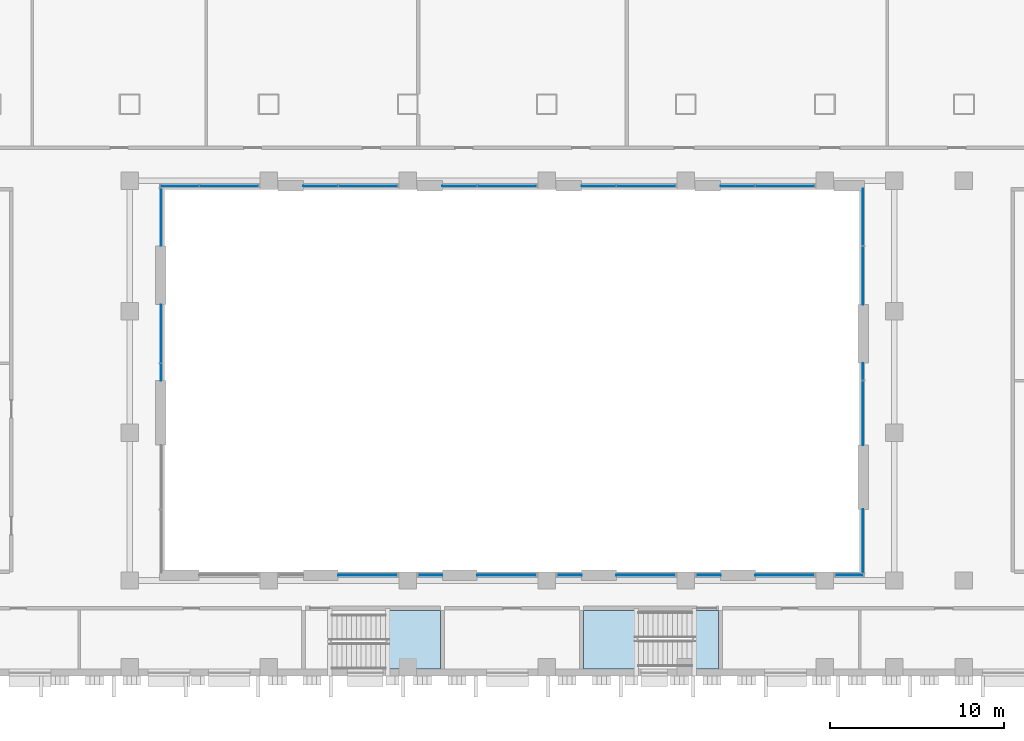
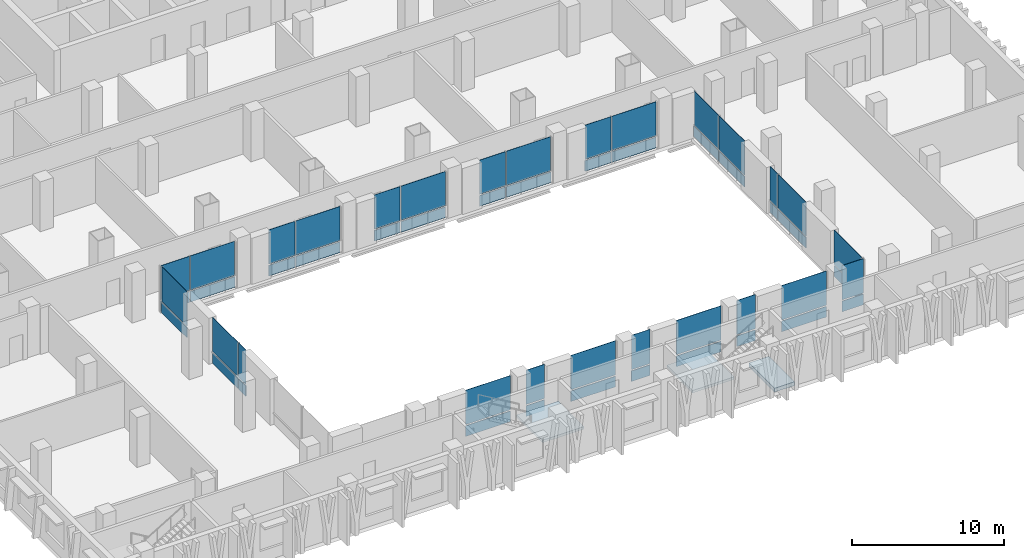
# One storey, part 6 of 26: 52 plates, 3 slabs, 20 elements without a shape of their own.
"""IFC4 building model written with IfcOpenShell, lengths in metres."""

from ifc_helpers import new_model, si_unit, direction, frame, origin, origin_2d, place, context, subcontext, project, spatial, polyline, rectangle, outline, extrude, material, layer, layer_set, type_object, element, aggregate, save


model = new_model("IFC4")

# Units and contexts
model_context = context("Model", 3, precision=1e-05, world=origin(), true_north=direction((0.0, 1.0)))
body_context = subcontext(model_context, "Body", "Model", "MODEL_VIEW")
ifc_project = project(units=[si_unit("LENGTHUNIT", "METRE"), si_unit("AREAUNIT", "SQUARE_METRE"), si_unit("VOLUMEUNIT", "CUBIC_METRE"), si_unit("PLANEANGLEUNIT", "RADIAN"), si_unit("MASSUNIT", "GRAM", prefix="KILO")], contexts=[model_context])

# Site, building, storey
site_placement = place(None, origin())
site = spatial("IfcSite", under=ifc_project, at=site_placement, CompositionType="ELEMENT")
building_placement = place(site_placement, origin())
building = spatial("IfcBuilding", under=site, at=building_placement, Name="Vidyagriha Tower", CompositionType="ELEMENT")
storey_placement = place(building_placement, frame((0.0, 0.0, 6.0)))
storey = spatial("IfcBuildingStorey", under=building, at=storey_placement, Name="L01", CompositionType="ELEMENT", Elevation=6.0)

# Curtain wall, plate
ifc_material_1 = material(Name="Aluminium and glass curtain wall", Category="aluminium")
curtain_wall_type = type_object("IfcCurtainWallType", Name="Atrium screen curtain wall", PredefinedType="USERDEFINED", material=ifc_material_1)
curtain_wall_1_placement = place(storey_placement, origin())
curtain_wall_1 = element("IfcCurtainWall", 1, at=curtain_wall_1_placement, inside=storey, type_object=curtain_wall_type, Name="CW6 atrium screen", ObjectType="UNITISED", PredefinedType="USERDEFINED")
ifc_material_2 = material(Name="Glass dark ceramic-fritted spandrel", Category="glass")
ifc_layer_1 = layer(ifc_material_2, 0.0400390625)
ifc_layer_set_1 = layer_set([ifc_layer_1], Name="Glass dark ceramic-fritted spandrel")
plate_type_1 = type_object("IfcPlateType", Name="Ceramic-fritted spandrel panel", PredefinedType="CURTAIN_PANEL", material=ifc_layer_set_1)
plate_1_placement = place(storey_placement, frame((19.405029296875, -44.199951171875, 0.0), z_axis=(0.0, 0.0, 1.0), x_axis=(-1.0, 0.0, 0.0)))
plate_1 = element("IfcPlate", 2, at=plate_1_placement, type_object=plate_type_1, Name="CW6 panel 1.1", PredefinedType="CURTAIN_PANEL", context=body_context, shape_type="SweptSolid", body=[
    extrude(rectangle(XDim=1.610107421875, YDim=0.0400390625, at=origin_2d()), origin(), (0.0, 0.0, 1.0), 0.85009765625),
])

curtain_wall_2_placement = place(storey_placement, origin())
curtain_wall_2 = element("IfcCurtainWall", 3, at=curtain_wall_2_placement, inside=storey, type_object=curtain_wall_type, Name="CW6 atrium screen", ObjectType="UNITISED", PredefinedType="USERDEFINED")
plate_2_placement = place(storey_placement, frame((15.699951171875, -44.199951171875, 0.0), z_axis=(0.0, 0.0, 1.0), x_axis=(-1.0, 0.0, 0.0)))
plate_2 = element("IfcPlate", 4, at=plate_2_placement, type_object=plate_type_1, Name="CW6 panel 1.1", PredefinedType="CURTAIN_PANEL", context=body_context, shape_type="SweptSolid", body=[
    extrude(rectangle(XDim=3.39990234375, YDim=0.0400390625, at=origin_2d()), origin(), (0.0, 0.0, 1.0), 0.85009765625),
])

curtain_wall_3_placement = place(storey_placement, origin())
curtain_wall_3 = element("IfcCurtainWall", 5, at=curtain_wall_3_placement, inside=storey, type_object=curtain_wall_type, Name="CW6 atrium screen", ObjectType="UNITISED", PredefinedType="USERDEFINED")
plate_3_placement = place(storey_placement, frame((11.300048828125, -44.199951171875, 0.0), z_axis=(0.0, 0.0, 1.0), x_axis=(-1.0, 0.0, 0.0)))
plate_3 = element("IfcPlate", 6, at=plate_3_placement, type_object=plate_type_1, Name="CW6 panel 1.1", PredefinedType="CURTAIN_PANEL", context=body_context, shape_type="SweptSolid", body=[
    extrude(rectangle(XDim=1.39990234375, YDim=0.0400390625, at=origin_2d()), origin(), (0.0, 0.0, 1.0), 0.85009765625),
])

curtain_wall_4_placement = place(storey_placement, origin())
curtain_wall_4 = element("IfcCurtainWall", 7, at=curtain_wall_4_placement, inside=storey, type_object=curtain_wall_type, Name="CW6 atrium screen", ObjectType="UNITISED", PredefinedType="USERDEFINED")
plate_4_placement = place(storey_placement, frame((7.699951171875, -44.199951171875, 0.0), z_axis=(0.0, 0.0, 1.0), x_axis=(-1.0, 0.0, 0.0)))
plate_4 = element("IfcPlate", 8, at=plate_4_placement, type_object=plate_type_1, Name="CW6 panel 1.1", PredefinedType="CURTAIN_PANEL", context=body_context, shape_type="SweptSolid", body=[
    extrude(rectangle(XDim=3.39990234375, YDim=0.0400390625, at=origin_2d()), origin(), (0.0, 0.0, 1.0), 0.85009765625),
])

curtain_wall_5_placement = place(storey_placement, origin())
curtain_wall_5 = element("IfcCurtainWall", 9, at=curtain_wall_5_placement, inside=storey, type_object=curtain_wall_type, Name="CW6 atrium screen", ObjectType="UNITISED", PredefinedType="USERDEFINED")
plate_5_placement = place(storey_placement, frame((3.300048828125, -44.199951171875, 0.0), z_axis=(0.0, 0.0, 1.0), x_axis=(-1.0, 0.0, 0.0)))
plate_5 = element("IfcPlate", 10, at=plate_5_placement, type_object=plate_type_1, Name="CW6 panel 1.1", PredefinedType="CURTAIN_PANEL", context=body_context, shape_type="SweptSolid", body=[
    extrude(rectangle(XDim=1.39990234375, YDim=0.0400390625, at=origin_2d()), origin(), (0.0, 0.0, 1.0), 0.85009765625),
])

curtain_wall_6_placement = place(storey_placement, origin())
curtain_wall_6 = element("IfcCurtainWall", 11, at=curtain_wall_6_placement, inside=storey, type_object=curtain_wall_type, Name="CW6 atrium screen", ObjectType="UNITISED", PredefinedType="USERDEFINED")
plate_6_placement = place(storey_placement, frame((-0.300048828125, -44.199951171875, 0.0), z_axis=(0.0, 0.0, 1.0), x_axis=(-1.0, 0.0, 0.0)))
plate_6 = element("IfcPlate", 12, at=plate_6_placement, type_object=plate_type_1, Name="CW6 panel 1.1", PredefinedType="CURTAIN_PANEL", context=body_context, shape_type="SweptSolid", body=[
    extrude(rectangle(XDim=3.39990234375, YDim=0.0400390625, at=origin_2d()), origin(), (0.0, 0.0, 1.0), 0.85009765625),
])

curtain_wall_7_placement = place(storey_placement, origin())
curtain_wall_7 = element("IfcCurtainWall", 13, at=curtain_wall_7_placement, inside=storey, type_object=curtain_wall_type, Name="CW6 atrium screen", ObjectType="UNITISED", PredefinedType="USERDEFINED")
plate_7_placement = place(storey_placement, frame((-4.699951171875, -44.199951171875, 0.0), z_axis=(0.0, 0.0, 1.0), x_axis=(-1.0, 0.0, 0.0)))
plate_7 = element("IfcPlate", 14, at=plate_7_placement, type_object=plate_type_1, Name="CW6 panel 1.1", PredefinedType="CURTAIN_PANEL", context=body_context, shape_type="SweptSolid", body=[
    extrude(rectangle(XDim=1.39990234375, YDim=0.0400390625, at=origin_2d()), origin(), (0.0, 0.0, 1.0), 0.85009765625),
])

curtain_wall_8_placement = place(storey_placement, origin())
curtain_wall_8 = element("IfcCurtainWall", 15, at=curtain_wall_8_placement, inside=storey, type_object=curtain_wall_type, Name="CW6 atrium screen", ObjectType="UNITISED", PredefinedType="USERDEFINED")
plate_8_placement = place(storey_placement, frame((-8.300048828125, -44.199951171875, 0.0), z_axis=(0.0, 0.0, 1.0), x_axis=(-1.0, 0.0, 0.0)))
plate_8 = element("IfcPlate", 16, at=plate_8_placement, type_object=plate_type_1, Name="CW6 panel 1.1", PredefinedType="CURTAIN_PANEL", context=body_context, shape_type="SweptSolid", body=[
    extrude(rectangle(XDim=3.39990234375, YDim=0.0400390625, at=origin_2d()), origin(), (0.0, 0.0, 1.0), 0.85009765625),
])

# Curtain wall, plates
curtain_wall_9_placement = place(storey_placement, origin())
curtain_wall_9 = element("IfcCurtainWall", 17, at=curtain_wall_9_placement, inside=storey, type_object=curtain_wall_type, Name="CW6 atrium screen", ObjectType="UNITISED", PredefinedType="USERDEFINED")
plate_9_placement = place(storey_placement, frame((-20.199951171875, -32.517578125, 0.0), z_axis=(0.0, 0.0, 1.0), x_axis=(0.0, 1.0, 0.0)))
plate_9 = element("IfcPlate", 18, at=plate_9_placement, type_object=plate_type_1, Name="CW6 panel 1.1", PredefinedType="CURTAIN_PANEL", context=body_context, shape_type="SweptSolid", body=[
    extrude(rectangle(XDim=0.965087890625, YDim=0.0400390625, at=origin_2d()), origin(), (0.0, 0.0, 1.0), 0.85009765625),
])
plate_10_placement = place(storey_placement, frame((-20.199951171875, -30.2958984375, 0.0), z_axis=(0.0, 0.0, 1.0), x_axis=(0.0, 1.0, 0.0)))
plate_10 = element("IfcPlate", 19, at=plate_10_placement, type_object=plate_type_1, Name="CW6 panel 2.1", PredefinedType="CURTAIN_PANEL", context=body_context, shape_type="SweptSolid", body=[
    extrude(rectangle(XDim=3.33837890625, YDim=0.0400390625, at=origin_2d()), origin(), (0.0, 0.0, 1.0), 0.85009765625),
])

# Curtain wall, plate
curtain_wall_10_placement = place(storey_placement, origin())
curtain_wall_10 = element("IfcCurtainWall", 20, at=curtain_wall_10_placement, inside=storey, type_object=curtain_wall_type, Name="CW6 atrium screen", ObjectType="UNITISED", PredefinedType="USERDEFINED")
plate_11_placement = place(storey_placement, frame((-20.199951171875, -23.6015625, 0.0), z_axis=(0.0, 0.0, 1.0), x_axis=(0.0, 1.0, 0.0)))
plate_11 = element("IfcPlate", 21, at=plate_11_placement, type_object=plate_type_1, Name="CW6 panel 1.1", PredefinedType="CURTAIN_PANEL", context=body_context, shape_type="SweptSolid", body=[
    extrude(rectangle(XDim=3.30322265625, YDim=0.0400390625, at=origin_2d()), origin(), (0.0, 0.0, 1.0), 0.85009765625),
])

# Curtain wall, plates
curtain_wall_11_placement = place(storey_placement, origin())
curtain_wall_11 = element("IfcCurtainWall", 22, at=curtain_wall_11_placement, inside=storey, type_object=curtain_wall_type, Name="CW6 atrium screen", ObjectType="UNITISED", PredefinedType="USERDEFINED")
plate_12_placement = place(storey_placement, frame((-19.12255859375, -21.800048828125, 0.0)))
plate_12 = element("IfcPlate", 23, at=plate_12_placement, type_object=plate_type_1, Name="CW6 panel 1.1", PredefinedType="CURTAIN_PANEL", context=body_context, shape_type="SweptSolid", body=[
    extrude(rectangle(XDim=2.175048828125, YDim=0.0400390625, at=origin_2d()), origin(), (0.0, 0.0, 1.0), 0.85009765625),
])
plate_13_placement = place(storey_placement, frame((-16.282470703125, -21.800048828125, 0.0)))
plate_13 = element("IfcPlate", 24, at=plate_13_placement, type_object=plate_type_1, Name="CW6 panel 2.1", PredefinedType="CURTAIN_PANEL", context=body_context, shape_type="SweptSolid", body=[
    extrude(rectangle(XDim=3.364990234375, YDim=0.0400390625, at=origin_2d()), origin(), (0.0, 0.0, 1.0), 0.85009765625),
])

curtain_wall_12_placement = place(storey_placement, origin())
curtain_wall_12 = element("IfcCurtainWall", 25, at=curtain_wall_12_placement, inside=storey, type_object=curtain_wall_type, Name="CW6 atrium screen", ObjectType="UNITISED", PredefinedType="USERDEFINED")
plate_14_placement = place(storey_placement, frame((-11.017578125, -21.800048828125, 0.0)))
plate_14 = element("IfcPlate", 26, at=plate_14_placement, type_object=plate_type_1, Name="CW6 panel 1.1", PredefinedType="CURTAIN_PANEL", context=body_context, shape_type="SweptSolid", body=[
    extrude(rectangle(XDim=1.965087890625, YDim=0.0400390625, at=origin_2d()), origin(), (0.0, 0.0, 1.0), 0.85009765625),
])
plate_15_placement = place(storey_placement, frame((-8.282470703125, -21.800048828125, 0.0)))
plate_15 = element("IfcPlate", 27, at=plate_15_placement, type_object=plate_type_1, Name="CW6 panel 2.1", PredefinedType="CURTAIN_PANEL", context=body_context, shape_type="SweptSolid", body=[
    extrude(rectangle(XDim=3.364990234375, YDim=0.0400390625, at=origin_2d()), origin(), (0.0, 0.0, 1.0), 0.85009765625),
])

curtain_wall_13_placement = place(storey_placement, origin())
curtain_wall_13 = element("IfcCurtainWall", 28, at=curtain_wall_13_placement, inside=storey, type_object=curtain_wall_type, Name="CW6 atrium screen", ObjectType="UNITISED", PredefinedType="USERDEFINED")
plate_16_placement = place(storey_placement, frame((-3.017578125, -21.800048828125, 0.0)))
plate_16 = element("IfcPlate", 29, at=plate_16_placement, type_object=plate_type_1, Name="CW6 panel 1.1", PredefinedType="CURTAIN_PANEL", context=body_context, shape_type="SweptSolid", body=[
    extrude(rectangle(XDim=1.965087890625, YDim=0.0400390625, at=origin_2d()), origin(), (0.0, 0.0, 1.0), 0.85009765625),
])
plate_17_placement = place(storey_placement, frame((-0.282470703125, -21.800048828125, 0.0)))
plate_17 = element("IfcPlate", 30, at=plate_17_placement, type_object=plate_type_1, Name="CW6 panel 2.1", PredefinedType="CURTAIN_PANEL", context=body_context, shape_type="SweptSolid", body=[
    extrude(rectangle(XDim=3.364990234375, YDim=0.0400390625, at=origin_2d()), origin(), (0.0, 0.0, 1.0), 0.85009765625),
])

curtain_wall_14_placement = place(storey_placement, origin())
curtain_wall_14 = element("IfcCurtainWall", 31, at=curtain_wall_14_placement, inside=storey, type_object=curtain_wall_type, Name="CW6 atrium screen", ObjectType="UNITISED", PredefinedType="USERDEFINED")
plate_18_placement = place(storey_placement, frame((4.982421875, -21.800048828125, 0.0)))
plate_18 = element("IfcPlate", 32, at=plate_18_placement, type_object=plate_type_1, Name="CW6 panel 1.1", PredefinedType="CURTAIN_PANEL", context=body_context, shape_type="SweptSolid", body=[
    extrude(rectangle(XDim=1.965087890625, YDim=0.0400390625, at=origin_2d()), origin(), (0.0, 0.0, 1.0), 0.85009765625),
])
plate_19_placement = place(storey_placement, frame((7.717529296875, -21.800048828125, 0.0)))
plate_19 = element("IfcPlate", 33, at=plate_19_placement, type_object=plate_type_1, Name="CW6 panel 2.1", PredefinedType="CURTAIN_PANEL", context=body_context, shape_type="SweptSolid", body=[
    extrude(rectangle(XDim=3.364990234375, YDim=0.0400390625, at=origin_2d()), origin(), (0.0, 0.0, 1.0), 0.85009765625),
])

curtain_wall_15_placement = place(storey_placement, origin())
curtain_wall_15 = element("IfcCurtainWall", 34, at=curtain_wall_15_placement, inside=storey, type_object=curtain_wall_type, Name="CW6 atrium screen", ObjectType="UNITISED", PredefinedType="USERDEFINED")
plate_20_placement = place(storey_placement, frame((12.982421875, -21.800048828125, 0.0)))
plate_20 = element("IfcPlate", 35, at=plate_20_placement, type_object=plate_type_1, Name="CW6 panel 1.1", PredefinedType="CURTAIN_PANEL", context=body_context, shape_type="SweptSolid", body=[
    extrude(rectangle(XDim=1.965087890625, YDim=0.0400390625, at=origin_2d()), origin(), (0.0, 0.0, 1.0), 0.85009765625),
])
plate_21_placement = place(storey_placement, frame((15.717529296875, -21.800048828125, 0.0)))
plate_21 = element("IfcPlate", 36, at=plate_21_placement, type_object=plate_type_1, Name="CW6 panel 2.1", PredefinedType="CURTAIN_PANEL", context=body_context, shape_type="SweptSolid", body=[
    extrude(rectangle(XDim=3.364990234375, YDim=0.0400390625, at=origin_2d()), origin(), (0.0, 0.0, 1.0), 0.85009765625),
])

curtain_wall_16_placement = place(storey_placement, origin())
curtain_wall_16 = element("IfcCurtainWall", 37, at=curtain_wall_16_placement, inside=storey, type_object=curtain_wall_type, Name="CW6 atrium screen", ObjectType="UNITISED", PredefinedType="USERDEFINED")
plate_22_placement = place(storey_placement, frame((20.199951171875, -23.584228515625, 0.0), z_axis=(0.0, 0.0, 1.0), x_axis=(0.0, -1.0, 0.0)))
plate_22 = element("IfcPlate", 38, at=plate_22_placement, type_object=plate_type_1, Name="CW6 panel 1.1", PredefinedType="CURTAIN_PANEL", context=body_context, shape_type="SweptSolid", body=[
    extrude(rectangle(XDim=3.268310546875, YDim=0.0400390625, at=origin_2d()), origin(), (0.0, 0.0, 1.0), 0.85009765625),
])
plate_23_placement = place(storey_placement, frame((20.199951171875, -26.95751953125, 0.0), z_axis=(0.0, 0.0, 1.0), x_axis=(0.0, -1.0, 0.0)))
plate_23 = element("IfcPlate", 39, at=plate_23_placement, type_object=plate_type_1, Name="CW6 panel 2.1", PredefinedType="CURTAIN_PANEL", context=body_context, shape_type="SweptSolid", body=[
    extrude(rectangle(XDim=3.33837890625, YDim=0.0400390625, at=origin_2d()), origin(), (0.0, 0.0, 1.0), 0.85009765625),
])

curtain_wall_17_placement = place(storey_placement, origin())
curtain_wall_17 = element("IfcCurtainWall", 40, at=curtain_wall_17_placement, inside=storey, type_object=curtain_wall_type, Name="CW6 atrium screen", ObjectType="UNITISED", PredefinedType="USERDEFINED")
plate_24_placement = place(storey_placement, frame((20.199951171875, -32.482421875, 0.0), z_axis=(0.0, 0.0, 1.0), x_axis=(0.0, -1.0, 0.0)))
plate_24 = element("IfcPlate", 41, at=plate_24_placement, type_object=plate_type_1, Name="CW6 panel 1.1", PredefinedType="CURTAIN_PANEL", context=body_context, shape_type="SweptSolid", body=[
    extrude(rectangle(XDim=0.965087890625, YDim=0.0400390625, at=origin_2d()), origin(), (0.0, 0.0, 1.0), 0.85009765625),
])
plate_25_placement = place(storey_placement, frame((20.199951171875, -34.870849609375, 0.0), z_axis=(0.0, 0.0, 1.0), x_axis=(0.0, -1.0, 0.0)))
plate_25 = element("IfcPlate", 42, at=plate_25_placement, type_object=plate_type_1, Name="CW6 panel 2.1", PredefinedType="CURTAIN_PANEL", context=body_context, shape_type="SweptSolid", body=[
    extrude(rectangle(XDim=3.671630859375, YDim=0.0400390625, at=origin_2d()), origin(), (0.0, 0.0, 1.0), 0.85009765625),
])

# Curtain wall, plate
curtain_wall_18_placement = place(storey_placement, origin())
curtain_wall_18 = element("IfcCurtainWall", 43, at=curtain_wall_18_placement, inside=storey, type_object=curtain_wall_type, Name="CW6 atrium screen", ObjectType="UNITISED", PredefinedType="USERDEFINED")
plate_26_placement = place(storey_placement, frame((20.199951171875, -42.231689453125, 0.0), z_axis=(0.0, 0.0, 1.0), x_axis=(0.0, -1.0, 0.0)))
plate_26 = element("IfcPlate", 44, at=plate_26_placement, type_object=plate_type_1, Name="CW6 panel 1.1", PredefinedType="CURTAIN_PANEL", context=body_context, shape_type="SweptSolid", body=[
    extrude(rectangle(XDim=3.63671875, YDim=0.0400390625, at=origin_2d()), origin(), (0.0, 0.0, 1.0), 0.85009765625),
])

# Plate
ifc_material_3 = material(Name="Glass dark ceramic-fritted", Category="glass")
ifc_layer_2 = layer(ifc_material_3, 0.028076171875)
ifc_layer_set_2 = layer_set([ifc_layer_2], Name="Glass dark ceramic-fritted")
plate_type_2 = type_object("IfcPlateType", Name="Dark ceramic-fritted vision glass panel", PredefinedType="CURTAIN_PANEL", material=ifc_layer_set_2)
plate_27_placement = place(storey_placement, frame((19.405029296875, -44.199951171875, 0.949951171875), z_axis=(0.0, 0.0, 1.0), x_axis=(-1.0, 0.0, 0.0)))
plate_27 = element("IfcPlate", 45, at=plate_27_placement, type_object=plate_type_2, Name="CW6 panel 1.2", PredefinedType="CURTAIN_PANEL", context=body_context, shape_type="SweptSolid", body=[
    extrude(rectangle(XDim=1.610107421875, YDim=0.028076171875, at=origin_2d()), origin(), (0.0, 0.0, 1.0), 2.75),
])

aggregate(curtain_wall_1, [plate_1, plate_27])

plate_28_placement = place(storey_placement, frame((15.699951171875, -44.199951171875, 0.949951171875), z_axis=(0.0, 0.0, 1.0), x_axis=(-1.0, 0.0, 0.0)))
plate_28 = element("IfcPlate", 46, at=plate_28_placement, type_object=plate_type_2, Name="CW6 panel 1.2", PredefinedType="CURTAIN_PANEL", context=body_context, shape_type="SweptSolid", body=[
    extrude(rectangle(XDim=3.39990234375, YDim=0.028076171875, at=origin_2d()), origin(), (0.0, 0.0, 1.0), 2.75),
])

aggregate(curtain_wall_2, [plate_2, plate_28])

plate_29_placement = place(storey_placement, frame((11.300048828125, -44.199951171875, 0.949951171875), z_axis=(0.0, 0.0, 1.0), x_axis=(-1.0, 0.0, 0.0)))
plate_29 = element("IfcPlate", 47, at=plate_29_placement, type_object=plate_type_2, Name="CW6 panel 1.2", PredefinedType="CURTAIN_PANEL", context=body_context, shape_type="SweptSolid", body=[
    extrude(rectangle(XDim=1.39990234375, YDim=0.028076171875, at=origin_2d()), origin(), (0.0, 0.0, 1.0), 2.75),
])

aggregate(curtain_wall_3, [plate_3, plate_29])

plate_30_placement = place(storey_placement, frame((7.699951171875, -44.199951171875, 0.949951171875), z_axis=(0.0, 0.0, 1.0), x_axis=(-1.0, 0.0, 0.0)))
plate_30 = element("IfcPlate", 48, at=plate_30_placement, type_object=plate_type_2, Name="CW6 panel 1.2", PredefinedType="CURTAIN_PANEL", context=body_context, shape_type="SweptSolid", body=[
    extrude(rectangle(XDim=3.39990234375, YDim=0.028076171875, at=origin_2d()), origin(), (0.0, 0.0, 1.0), 2.75),
])

aggregate(curtain_wall_4, [plate_4, plate_30])

plate_31_placement = place(storey_placement, frame((3.300048828125, -44.199951171875, 0.949951171875), z_axis=(0.0, 0.0, 1.0), x_axis=(-1.0, 0.0, 0.0)))
plate_31 = element("IfcPlate", 49, at=plate_31_placement, type_object=plate_type_2, Name="CW6 panel 1.2", PredefinedType="CURTAIN_PANEL", context=body_context, shape_type="SweptSolid", body=[
    extrude(rectangle(XDim=1.39990234375, YDim=0.028076171875, at=origin_2d()), origin(), (0.0, 0.0, 1.0), 2.75),
])

aggregate(curtain_wall_5, [plate_5, plate_31])

plate_32_placement = place(storey_placement, frame((-0.300048828125, -44.199951171875, 0.949951171875), z_axis=(0.0, 0.0, 1.0), x_axis=(-1.0, 0.0, 0.0)))
plate_32 = element("IfcPlate", 50, at=plate_32_placement, type_object=plate_type_2, Name="CW6 panel 1.2", PredefinedType="CURTAIN_PANEL", context=body_context, shape_type="SweptSolid", body=[
    extrude(rectangle(XDim=3.39990234375, YDim=0.028076171875, at=origin_2d()), origin(), (0.0, 0.0, 1.0), 2.75),
])

aggregate(curtain_wall_6, [plate_6, plate_32])

plate_33_placement = place(storey_placement, frame((-4.699951171875, -44.199951171875, 0.949951171875), z_axis=(0.0, 0.0, 1.0), x_axis=(-1.0, 0.0, 0.0)))
plate_33 = element("IfcPlate", 51, at=plate_33_placement, type_object=plate_type_2, Name="CW6 panel 1.2", PredefinedType="CURTAIN_PANEL", context=body_context, shape_type="SweptSolid", body=[
    extrude(rectangle(XDim=1.39990234375, YDim=0.028076171875, at=origin_2d()), origin(), (0.0, 0.0, 1.0), 2.75),
])

aggregate(curtain_wall_7, [plate_7, plate_33])

plate_34_placement = place(storey_placement, frame((-8.300048828125, -44.199951171875, 0.949951171875), z_axis=(0.0, 0.0, 1.0), x_axis=(-1.0, 0.0, 0.0)))
plate_34 = element("IfcPlate", 52, at=plate_34_placement, type_object=plate_type_2, Name="CW6 panel 1.2", PredefinedType="CURTAIN_PANEL", context=body_context, shape_type="SweptSolid", body=[
    extrude(rectangle(XDim=3.39990234375, YDim=0.028076171875, at=origin_2d()), origin(), (0.0, 0.0, 1.0), 2.75),
])

aggregate(curtain_wall_8, [plate_8, plate_34])

plate_35_placement = place(storey_placement, frame((-20.199951171875, -32.517578125, 0.949951171875), z_axis=(0.0, 0.0, 1.0), x_axis=(0.0, 1.0, 0.0)))
plate_35 = element("IfcPlate", 53, at=plate_35_placement, type_object=plate_type_2, Name="CW6 panel 1.2", PredefinedType="CURTAIN_PANEL", context=body_context, shape_type="SweptSolid", body=[
    extrude(rectangle(XDim=0.965087890625, YDim=0.028076171875, at=origin_2d()), origin(), (0.0, 0.0, 1.0), 2.75),
])

plate_36_placement = place(storey_placement, frame((-20.199951171875, -30.2958984375, 0.949951171875), z_axis=(0.0, 0.0, 1.0), x_axis=(0.0, 1.0, 0.0)))
plate_36 = element("IfcPlate", 54, at=plate_36_placement, type_object=plate_type_2, Name="CW6 panel 2.2", PredefinedType="CURTAIN_PANEL", context=body_context, shape_type="SweptSolid", body=[
    extrude(rectangle(XDim=3.33837890625, YDim=0.028076171875, at=origin_2d()), origin(), (0.0, 0.0, 1.0), 2.75),
])

aggregate(curtain_wall_9, [plate_9, plate_35, plate_10, plate_36])

plate_37_placement = place(storey_placement, frame((-20.199951171875, -23.6015625, 0.949951171875), z_axis=(0.0, 0.0, 1.0), x_axis=(0.0, 1.0, 0.0)))
plate_37 = element("IfcPlate", 55, at=plate_37_placement, type_object=plate_type_2, Name="CW6 panel 1.2", PredefinedType="CURTAIN_PANEL", context=body_context, shape_type="SweptSolid", body=[
    extrude(rectangle(XDim=3.30322265625, YDim=0.028076171875, at=origin_2d()), origin(), (0.0, 0.0, 1.0), 2.75),
])

aggregate(curtain_wall_10, [plate_11, plate_37])

plate_38_placement = place(storey_placement, frame((-19.12255859375, -21.800048828125, 0.949951171875)))
plate_38 = element("IfcPlate", 56, at=plate_38_placement, type_object=plate_type_2, Name="CW6 panel 1.2", PredefinedType="CURTAIN_PANEL", context=body_context, shape_type="SweptSolid", body=[
    extrude(rectangle(XDim=2.175048828125, YDim=0.028076171875, at=origin_2d()), origin(), (0.0, 0.0, 1.0), 2.75),
])

plate_39_placement = place(storey_placement, frame((-16.282470703125, -21.800048828125, 0.949951171875)))
plate_39 = element("IfcPlate", 57, at=plate_39_placement, type_object=plate_type_2, Name="CW6 panel 2.2", PredefinedType="CURTAIN_PANEL", context=body_context, shape_type="SweptSolid", body=[
    extrude(rectangle(XDim=3.364990234375, YDim=0.028076171875, at=origin_2d()), origin(), (0.0, 0.0, 1.0), 2.75),
])

aggregate(curtain_wall_11, [plate_12, plate_38, plate_13, plate_39])

plate_40_placement = place(storey_placement, frame((-11.017578125, -21.800048828125, 0.949951171875)))
plate_40 = element("IfcPlate", 58, at=plate_40_placement, type_object=plate_type_2, Name="CW6 panel 1.2", PredefinedType="CURTAIN_PANEL", context=body_context, shape_type="SweptSolid", body=[
    extrude(rectangle(XDim=1.965087890625, YDim=0.028076171875, at=origin_2d()), origin(), (0.0, 0.0, 1.0), 2.75),
])

plate_41_placement = place(storey_placement, frame((-8.282470703125, -21.800048828125, 0.949951171875)))
plate_41 = element("IfcPlate", 59, at=plate_41_placement, type_object=plate_type_2, Name="CW6 panel 2.2", PredefinedType="CURTAIN_PANEL", context=body_context, shape_type="SweptSolid", body=[
    extrude(rectangle(XDim=3.364990234375, YDim=0.028076171875, at=origin_2d()), origin(), (0.0, 0.0, 1.0), 2.75),
])

aggregate(curtain_wall_12, [plate_14, plate_40, plate_15, plate_41])

plate_42_placement = place(storey_placement, frame((-3.017578125, -21.800048828125, 0.949951171875)))
plate_42 = element("IfcPlate", 60, at=plate_42_placement, type_object=plate_type_2, Name="CW6 panel 1.2", PredefinedType="CURTAIN_PANEL", context=body_context, shape_type="SweptSolid", body=[
    extrude(rectangle(XDim=1.965087890625, YDim=0.028076171875, at=origin_2d()), origin(), (0.0, 0.0, 1.0), 2.75),
])

plate_43_placement = place(storey_placement, frame((-0.282470703125, -21.800048828125, 0.949951171875)))
plate_43 = element("IfcPlate", 61, at=plate_43_placement, type_object=plate_type_2, Name="CW6 panel 2.2", PredefinedType="CURTAIN_PANEL", context=body_context, shape_type="SweptSolid", body=[
    extrude(rectangle(XDim=3.364990234375, YDim=0.028076171875, at=origin_2d()), origin(), (0.0, 0.0, 1.0), 2.75),
])

aggregate(curtain_wall_13, [plate_16, plate_42, plate_17, plate_43])

plate_44_placement = place(storey_placement, frame((4.982421875, -21.800048828125, 0.949951171875)))
plate_44 = element("IfcPlate", 62, at=plate_44_placement, type_object=plate_type_2, Name="CW6 panel 1.2", PredefinedType="CURTAIN_PANEL", context=body_context, shape_type="SweptSolid", body=[
    extrude(rectangle(XDim=1.965087890625, YDim=0.028076171875, at=origin_2d()), origin(), (0.0, 0.0, 1.0), 2.75),
])

plate_45_placement = place(storey_placement, frame((7.717529296875, -21.800048828125, 0.949951171875)))
plate_45 = element("IfcPlate", 63, at=plate_45_placement, type_object=plate_type_2, Name="CW6 panel 2.2", PredefinedType="CURTAIN_PANEL", context=body_context, shape_type="SweptSolid", body=[
    extrude(rectangle(XDim=3.364990234375, YDim=0.028076171875, at=origin_2d()), origin(), (0.0, 0.0, 1.0), 2.75),
])

aggregate(curtain_wall_14, [plate_18, plate_44, plate_19, plate_45])

plate_46_placement = place(storey_placement, frame((12.982421875, -21.800048828125, 0.949951171875)))
plate_46 = element("IfcPlate", 64, at=plate_46_placement, type_object=plate_type_2, Name="CW6 panel 1.2", PredefinedType="CURTAIN_PANEL", context=body_context, shape_type="SweptSolid", body=[
    extrude(rectangle(XDim=1.965087890625, YDim=0.028076171875, at=origin_2d()), origin(), (0.0, 0.0, 1.0), 2.75),
])

plate_47_placement = place(storey_placement, frame((15.717529296875, -21.800048828125, 0.949951171875)))
plate_47 = element("IfcPlate", 65, at=plate_47_placement, type_object=plate_type_2, Name="CW6 panel 2.2", PredefinedType="CURTAIN_PANEL", context=body_context, shape_type="SweptSolid", body=[
    extrude(rectangle(XDim=3.364990234375, YDim=0.028076171875, at=origin_2d()), origin(), (0.0, 0.0, 1.0), 2.75),
])

aggregate(curtain_wall_15, [plate_20, plate_46, plate_21, plate_47])

plate_48_placement = place(storey_placement, frame((20.199951171875, -23.584228515625, 0.949951171875), z_axis=(0.0, 0.0, 1.0), x_axis=(0.0, -1.0, 0.0)))
plate_48 = element("IfcPlate", 66, at=plate_48_placement, type_object=plate_type_2, Name="CW6 panel 1.2", PredefinedType="CURTAIN_PANEL", context=body_context, shape_type="SweptSolid", body=[
    extrude(rectangle(XDim=3.268310546875, YDim=0.028076171875, at=origin_2d()), origin(), (0.0, 0.0, 1.0), 2.75),
])

plate_49_placement = place(storey_placement, frame((20.199951171875, -26.95751953125, 0.949951171875), z_axis=(0.0, 0.0, 1.0), x_axis=(0.0, -1.0, 0.0)))
plate_49 = element("IfcPlate", 67, at=plate_49_placement, type_object=plate_type_2, Name="CW6 panel 2.2", PredefinedType="CURTAIN_PANEL", context=body_context, shape_type="SweptSolid", body=[
    extrude(rectangle(XDim=3.33837890625, YDim=0.028076171875, at=origin_2d()), origin(), (0.0, 0.0, 1.0), 2.75),
])

aggregate(curtain_wall_16, [plate_22, plate_48, plate_23, plate_49])

plate_50_placement = place(storey_placement, frame((20.199951171875, -32.482421875, 0.949951171875), z_axis=(0.0, 0.0, 1.0), x_axis=(0.0, -1.0, 0.0)))
plate_50 = element("IfcPlate", 68, at=plate_50_placement, type_object=plate_type_2, Name="CW6 panel 1.2", PredefinedType="CURTAIN_PANEL", context=body_context, shape_type="SweptSolid", body=[
    extrude(rectangle(XDim=0.965087890625, YDim=0.028076171875, at=origin_2d()), origin(), (0.0, 0.0, 1.0), 2.75),
])

plate_51_placement = place(storey_placement, frame((20.199951171875, -34.870849609375, 0.949951171875), z_axis=(0.0, 0.0, 1.0), x_axis=(0.0, -1.0, 0.0)))
plate_51 = element("IfcPlate", 69, at=plate_51_placement, type_object=plate_type_2, Name="CW6 panel 2.2", PredefinedType="CURTAIN_PANEL", context=body_context, shape_type="SweptSolid", body=[
    extrude(rectangle(XDim=3.671630859375, YDim=0.028076171875, at=origin_2d()), origin(), (0.0, 0.0, 1.0), 2.75),
])

aggregate(curtain_wall_17, [plate_24, plate_50, plate_25, plate_51])

plate_52_placement = place(storey_placement, frame((20.199951171875, -42.231689453125, 0.949951171875), z_axis=(0.0, 0.0, 1.0), x_axis=(0.0, -1.0, 0.0)))
plate_52 = element("IfcPlate", 70, at=plate_52_placement, type_object=plate_type_2, Name="CW6 panel 1.2", PredefinedType="CURTAIN_PANEL", context=body_context, shape_type="SweptSolid", body=[
    extrude(rectangle(XDim=3.63671875, YDim=0.028076171875, at=origin_2d()), origin(), (0.0, 0.0, 1.0), 2.75),
])

aggregate(curtain_wall_18, [plate_26, plate_52])

# Stair, slab
ifc_material_4 = material(Name="Concrete C32/40", Category="concrete")
stair_type = type_object("IfcStairType", Name="Podium Exit Stair 1500", PredefinedType="HALF_TURN_STAIR", material=ifc_material_4)
stair_1_placement = place(storey_placement, origin())
stair_1 = element("IfcStair", 71, at=stair_1_placement, inside=storey, type_object=stair_type, Name="L01 Exit Stair PS3", PredefinedType="HALF_TURN_STAIR")
ifc_material_5 = material(Name="Concrete C32/40", Category="concrete")
ifc_layer_3 = layer(ifc_material_5, 0.199951171875)
ifc_layer_set_3 = layer_set([ifc_layer_3], Name="Concrete C32/40")
slab_type_1 = type_object("IfcSlabType", Name="Podium Stair Landing 200", PredefinedType="LANDING", material=ifc_layer_set_3)
slab_1_placement = place(storey_placement, frame((0.0, 0.0, 1.800048828125)))
slab_1 = element("IfcSlab", 72, at=slab_1_placement, type_object=slab_type_1, Name="PS3 landing 1", PredefinedType="LANDING", context=body_context, shape_type="SweptSolid", body=[
    extrude(outline(polyline([(-7.27490234375, -49.60009765625), (-4.125, -49.60009765625), (-4.125, -46.22509765625), (-7.27490234375, -46.22509765625), (-7.27490234375, -49.60009765625)])), origin(), (0.0, 0.0, 1.0), 0.199951171875),
])
aggregate(stair_1, [slab_1])

stair_2_placement = place(storey_placement, origin())
stair_2 = element("IfcStair", 73, at=stair_2_placement, inside=storey, type_object=stair_type, Name="L01 Exit Stair PS4", PredefinedType="HALF_TURN_STAIR")
slab_2_placement = place(storey_placement, frame((0.0, 0.0, 1.800048828125)))
slab_2 = element("IfcSlab", 74, at=slab_2_placement, type_object=slab_type_1, Name="PS4 landing 1", PredefinedType="LANDING", context=body_context, shape_type="SweptSolid", body=[
    extrude(outline(polyline([(7.27490234375, -46.22509765625), (4.125, -46.22509765625), (4.125, -49.60009765625), (7.27490234375, -49.60009765625), (7.27490234375, -46.22509765625)])), origin(), (0.0, 0.0, 1.0), 0.199951171875),
])
aggregate(stair_2, [slab_2])

# Slab
ifc_material_6 = material(Name="Concrete C32/40", Category="concrete")
ifc_layer_4 = layer(ifc_material_6, 0.300048828125)
ifc_layer_set_4 = layer_set([ifc_layer_4], Name="Concrete C32/40")
slab_type_2 = type_object("IfcSlabType", Name="Podium stair floor landing 300 mm", PredefinedType="LANDING", material=ifc_layer_set_4)
slab_3_placement = place(storey_placement, frame((0.0, 0.0, -0.300048828125)))
element("IfcSlab", 75, at=slab_3_placement, inside=storey, type_object=slab_type_2, Name="PS4 floor landing L01", PredefinedType="LANDING", context=body_context, shape_type="SweptSolid", body=[
    extrude(outline(polyline([(10.35498046875, -49.60009765625), (11.875, -49.60009765625), (11.875, -46.22509765625), (10.35498046875, -46.22509765625), (10.35498046875, -49.60009765625)])), origin(), (0.0, 0.0, 1.0), 0.300048828125),
])

save(model, "model.ifc")
